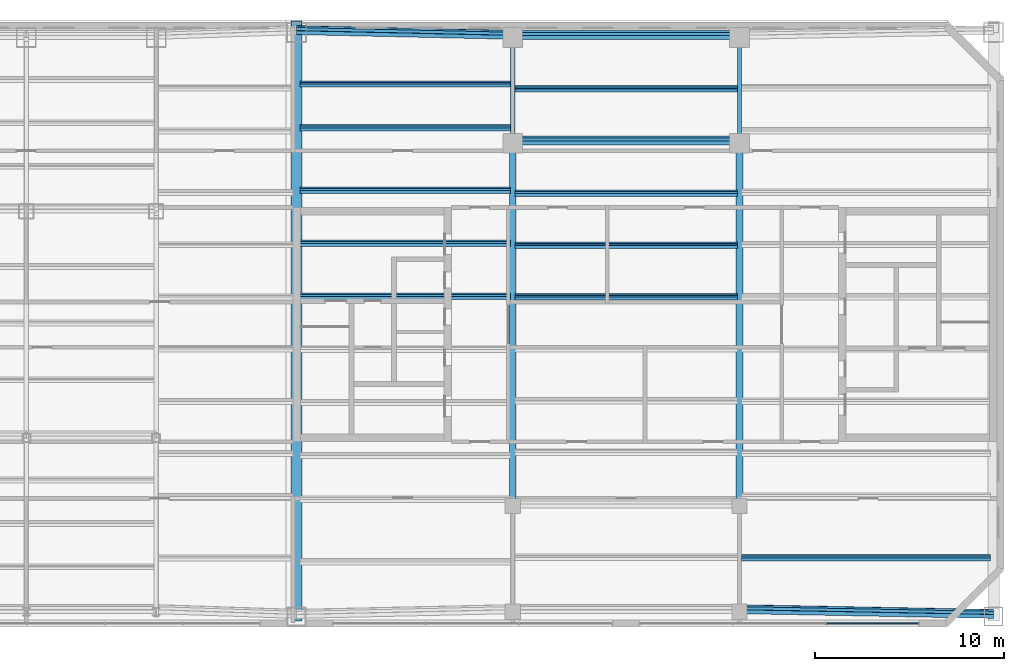
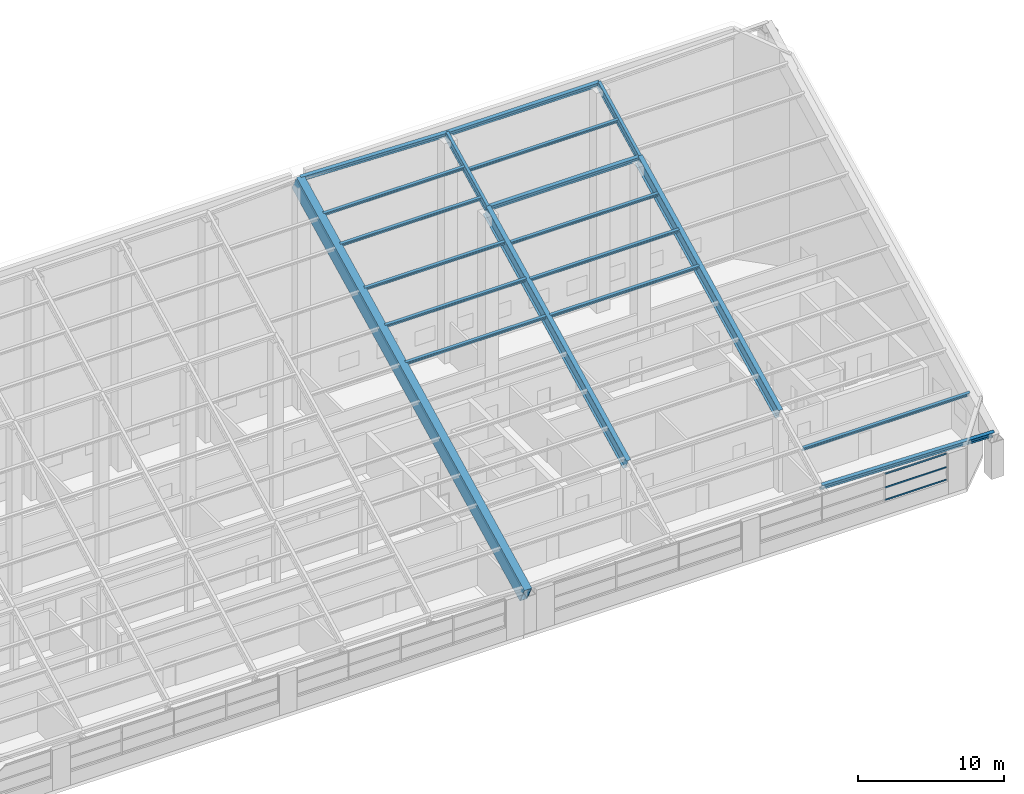
# One storey, part 15 of 28: 22 members, 1 element without a shape of its own.
"""IFC4 building model written with IfcOpenShell, lengths in metres."""

import ifcopenshell
import ifcopenshell.guid

model = None  # the IFC model being written
_history = None  # IfcOwnerHistory: only IFC2X3 demands one
_inside = {}  # id of a spatial element -> (the spatial element, [elements in it])
_under = {}  # id of a project, library or spatial element -> (it, [spatial elements below it])
_declared = {}  # id of a project -> (the project, [libraries it declares])
_typed = {}  # id of a type object -> (the type object, [elements of that type])
_made_of = {}  # id of a material, layer set ... -> (it, [elements and type objects made of it])


def new_model(schema):
    """Start an empty IFC model of exactly this schema.

    Asked for "IFC4X3", IfcOpenShell would pick the latest addendum, in which some entities
    have other attributes; the version numbers below select the first issue.
    IFC2X3 requires an IfcOwnerHistory on every rooted entity: one is made here for all.
    """
    global model, _history
    if schema == "IFC4X3":
        model = ifcopenshell.file(schema_version=(4, 3, 0, 0))
    else:
        model = ifcopenshell.file(schema=schema)
    _inside.clear()
    _under.clear()
    _declared.clear()
    _typed.clear()
    _made_of.clear()
    _history = None
    if model.schema == "IFC2X3":
        org = make("IfcOrganization", Name="unknown")
        user = make(
            "IfcPersonAndOrganization",
            ThePerson=make("IfcPerson", FamilyName="unknown"),
            TheOrganization=org,
        )
        app = make(
            "IfcApplication",
            ApplicationDeveloper=org,
            Version="unknown",
            ApplicationFullName="unknown",
            ApplicationIdentifier="unknown",
        )
        _history = make(
            "IfcOwnerHistory",
            OwningUser=user,
            OwningApplication=app,
            ChangeAction="ADDED",
            CreationDate=0,
        )
    return model


def make(cls, **values):
    """One entity of the class cls with the attributes given. An attribute that is None is left unset."""
    return model.create_entity(
        cls, **{name: value for name, value in values.items() if value is not None}
    )


def rooted(cls, **values):
    """An entity with a GlobalId (a new one), such as an element, a storey or a relation."""
    return make(cls, GlobalId=ifcopenshell.guid.new(), OwnerHistory=_history, **values)


def si_unit(unit_type, name, prefix=None):
    """IfcSIUnit, for example si_unit("LENGTHUNIT", "METRE", prefix="MILLI")."""
    return make("IfcSIUnit", UnitType=unit_type, Prefix=prefix, Name=name)


def assignment(units):
    """IfcUnitAssignment: the units of a project."""
    return None if units is None else make("IfcUnitAssignment", Units=units)


def point(xyz):
    """IfcCartesianPoint."""
    return None if xyz is None else make("IfcCartesianPoint", Coordinates=xyz)


def direction(xyz):
    """IfcDirection."""
    return None if xyz is None else make("IfcDirection", DirectionRatios=xyz)


def frame(location, z_axis=None, x_axis=None):
    """IfcAxis2Placement3D, a coordinate frame: its origin and axes. An axis left out is left unset."""
    return make(
        "IfcAxis2Placement3D",
        Location=point(location),
        Axis=direction(z_axis),
        RefDirection=direction(x_axis),
    )


def frame_2d(location, x_axis=None):
    """IfcAxis2Placement2D, a coordinate frame in the plane: its origin and x axis."""
    return make(
        "IfcAxis2Placement2D", Location=point(location), RefDirection=direction(x_axis)
    )


def origin():
    """The frame at (0, 0, 0) with its axes left unset."""
    return frame((0.0, 0.0, 0.0))


def origin_2d():
    """The frame at (0, 0) in the plane with its x axis left unset."""
    return frame_2d((0.0, 0.0))


def place(relative_to, where):
    """IfcLocalPlacement: puts the frame where relative to a parent placement (None: the world)."""
    return make(
        "IfcLocalPlacement", PlacementRelTo=relative_to, RelativePlacement=where
    )


def context(
    kind, dimensions, precision=None, world=None, true_north=None, identifier=None
):
    """IfcGeometricRepresentationContext, for example the 3D "Model" context."""
    return make(
        "IfcGeometricRepresentationContext",
        ContextIdentifier=identifier,
        ContextType=kind,
        CoordinateSpaceDimension=dimensions,
        Precision=precision,
        WorldCoordinateSystem=world,
        TrueNorth=true_north,
    )


def subcontext(parent, identifier, kind, view, scale=None):
    """IfcGeometricRepresentationSubContext, for example "Body" below "Model"."""
    return make(
        "IfcGeometricRepresentationSubContext",
        ContextIdentifier=identifier,
        ContextType=kind,
        ParentContext=parent,
        TargetScale=scale,
        TargetView=view,
    )


def project(units=None, contexts=None):
    """IfcProject with its units and contexts."""
    return rooted(
        "IfcProject",
        Name="project",
        RepresentationContexts=contexts,
        UnitsInContext=assignment(units),
    )


def spatial(cls, under=None, at=None, **own):
    """A site, building, storey or space (cls), placed at a placement, below another one or the project."""
    s = rooted(cls, ObjectPlacement=at, **own)
    if under is not None:
        _under.setdefault(under.id(), (under, []))[1].append(s)
    return s


def profile(cls, at=None, kind="AREA", **sizes):
    """A parametric profile (cls). Its sizes go by their IFC names, for example OverallWidth=200.0."""
    return make(cls, ProfileType=kind, Position=at, **sizes)


def rectangle(**sizes):
    """IfcRectangleProfileDef."""
    return profile("IfcRectangleProfileDef", **sizes)


def hollow_rectangle(**sizes):
    """IfcRectangleHollowProfileDef."""
    return profile("IfcRectangleHollowProfileDef", **sizes)


def i_section(**sizes):
    """IfcIShapeProfileDef."""
    return profile("IfcIShapeProfileDef", **sizes)


def extrude(swept, where, along, depth):
    """IfcExtrudedAreaSolid: the profile swept, set in the frame where, extruded along a direction by depth."""
    return make(
        "IfcExtrudedAreaSolid",
        SweptArea=swept,
        Position=where,
        ExtrudedDirection=direction(along),
        Depth=depth,
    )


def shape(context_of_items, identifier, shape_type, items):
    """IfcShapeRepresentation: the items that make up one representation, for example the "Body"."""
    return make(
        "IfcShapeRepresentation",
        ContextOfItems=context_of_items,
        RepresentationIdentifier=identifier,
        RepresentationType=shape_type,
        Items=items,
    )


def material(Name=None, Category=None):
    """IfcMaterial."""
    return make("IfcMaterial", Name=Name, Category=Category)


def material_profile(
    of_material, cross_section, Name=None, Category=None, Priority=None
):
    """IfcMaterialProfile: a cross section and its material."""
    return make(
        "IfcMaterialProfile",
        Name=Name,
        Material=of_material,
        Profile=cross_section,
        Priority=Priority,
        Category=Category,
    )


def profile_set(profiles, Name=None, composite=None):
    """IfcMaterialProfileSet."""
    return make(
        "IfcMaterialProfileSet",
        Name=Name,
        MaterialProfiles=profiles,
        CompositeProfile=composite,
    )


def made_of(thing, what):
    """Note that an element or type object is made of a material, layer set ...; save() writes the relation."""
    if what is not None:
        _made_of.setdefault(what.id(), (what, []))[1].append(thing)
    return thing


def type_object(cls, material=None, **own):
    """A type object (cls), such as IfcWallType, which elements share."""
    return made_of(rooted(cls, **own), material)


def element(
    cls,
    number,
    at=None,
    inside=None,
    cuts=None,
    type_object=None,
    material=None,
    context=None,
    identifier="Body",
    shape_type=None,
    held_by="IfcProductDefinitionShape",
    body=None,
    shapes=None,
    **own,
):
    """One element of the class cls, such as IfcWall. Its Tag is "e" and its number.

    at: its placement. inside: the storey or other place that contains it. cuts: it is an
    opening in that element (IfcRelVoidsElement). A single representation is given by context,
    identifier, shape_type and body (its items); several are given by shapes. held_by: the class
    of the entity that holds the representations. save() writes the other relations.
    """
    e = rooted(cls, Tag="e%d" % number, ObjectPlacement=at, **own)
    if body is not None:
        shapes = [shape(context, identifier, shape_type, body)]
    if shapes is not None:
        e.Representation = make(held_by, Representations=shapes)
    if inside is not None:
        _inside.setdefault(inside.id(), (inside, []))[1].append(e)
    if cuts is not None:
        rooted(
            "IfcRelVoidsElement", RelatingBuildingElement=cuts, RelatedOpeningElement=e
        )
    if type_object is not None:
        _typed.setdefault(type_object.id(), (type_object, []))[1].append(e)
    return made_of(e, material)


def aggregate(whole, parts):
    """IfcRelAggregates: a whole, such as a stair, and the parts it consists of."""
    return rooted("IfcRelAggregates", RelatingObject=whole, RelatedObjects=parts)


def save(model, path):
    """Write the relations noted so far, then the file.

    IfcRelAggregates (storeys below a building ...), IfcRelContainedInSpatialStructure (elements
    in a storey), IfcRelDefinesByType, IfcRelAssociatesMaterial and IfcRelDeclares: one each for
    every whole, place, type object, material and project.
    """
    for whole, parts in _under.values():
        aggregate(whole, parts)
    for where, things in _inside.values():
        rooted(
            "IfcRelContainedInSpatialStructure",
            RelatedElements=things,
            RelatingStructure=where,
        )
    for kind, things in _typed.values():
        rooted("IfcRelDefinesByType", RelatedObjects=things, RelatingType=kind)
    for what, things in _made_of.values():
        rooted("IfcRelAssociatesMaterial", RelatedObjects=things, RelatingMaterial=what)
    for by, libraries in _declared.values():
        rooted("IfcRelDeclares", RelatingContext=by, RelatedDefinitions=libraries)
    model.write(path)


model = new_model("IFC4")

# Units and contexts
model_context = context("Model", 3, precision=1e-05, world=origin(), true_north=direction((0.0, 1.0)))
body_context = subcontext(model_context, "Body", "Model", "MODEL_VIEW")
ifc_project = project(units=[si_unit("LENGTHUNIT", "METRE"), si_unit("AREAUNIT", "SQUARE_METRE"), si_unit("VOLUMEUNIT", "CUBIC_METRE"), si_unit("PLANEANGLEUNIT", "RADIAN"), si_unit("MASSUNIT", "GRAM", prefix="KILO")], contexts=[model_context])

# Site, building, storey
site_placement = place(None, origin())
site = spatial("IfcSite", under=ifc_project, at=site_placement, CompositionType="ELEMENT")
building_placement = place(site_placement, origin())
building = spatial("IfcBuilding", under=site, at=building_placement, Name="Tuart Gate Housing", CompositionType="ELEMENT")
storey_placement = place(building_placement, frame((0.0, 0.0, 243.89990234375)))
storey = spatial("IfcBuildingStorey", under=building, at=storey_placement, Name="L68", CompositionType="ELEMENT", Elevation=243.89990234375)

# Members
ifc_material_1 = material(Name="Steel Grade 350", Category="steel")
ifc_material_profile_1 = material_profile(ifc_material_1, i_section(OverallWidth=0.22900390625, OverallDepth=0.612060546875, WebThickness=0.011962890625, FlangeThickness=0.01953125, at=origin_2d()), Name="610UB125")
ifc_profile_set_1 = profile_set([ifc_material_profile_1], Name="Steel Grade 350")
member_type_1 = type_object("IfcMemberType", Name="Crown purlin 610 UB125 (11.5-13.5 m)", PredefinedType="PURLIN", material=ifc_profile_set_1)
member_1_placement = place(storey_placement, frame((155.0, 54.936767578125, 3.426513671875), z_axis=(0.999784137114, -0.018583415738, -0.009291707869), x_axis=(0.020776890343, 0.894195116491, 0.447195051931)))
element("IfcMember", 1, at=member_1_placement, inside=storey, type_object=member_type_1, Name="Crown purlin 15", PredefinedType="PURLIN", context=body_context, shape_type="SweptSolid", body=[
    extrude(i_section(OverallWidth=0.22900390625, OverallDepth=0.612060546875, WebThickness=0.011962890625, FlangeThickness=0.01953125, at=origin_2d()), origin(), (0.0, 0.0, 1.0), 13.452880859375),
])
member_2_placement = place(storey_placement, frame((143.0, 79.73681640625, 15.826416015625), z_axis=(1.0, 0.0, 0.0), x_axis=(0.0, 0.89442680992, 0.44721435766)))
element("IfcMember", 2, at=member_2_placement, inside=storey, type_object=member_type_1, Name="Crown purlin 33", PredefinedType="PURLIN", context=body_context, shape_type="SweptSolid", body=[
    extrude(i_section(OverallWidth=0.22900390625, OverallDepth=0.612060546875, WebThickness=0.011962890625, FlangeThickness=0.01953125, at=origin_2d()), origin(), (0.0, 0.0, 1.0), 12.0),
])
member_3_placement = place(storey_placement, frame((131.550048828125, 85.5869140625, 18.75146484375), z_axis=(0.999702176669, -0.021827651526, -0.010913825763), x_axis=(0.024404056125, 0.894107142767, 0.447187722659)))
element("IfcMember", 3, at=member_3_placement, inside=storey, type_object=member_type_1, Name="Crown purlin 48", PredefinedType="PURLIN", context=body_context, shape_type="SweptSolid", body=[
    extrude(i_section(OverallWidth=0.22900390625, OverallDepth=0.612060546875, WebThickness=0.011962890625, FlangeThickness=0.01953125, at=origin_2d()), origin(), (0.0, 0.0, 1.0), 11.453369140625),
])
member_4_placement = place(storey_placement, frame((143.0, 85.3369140625, 18.62646484375), z_axis=(1.0, 0.0, 0.0), x_axis=(0.0, 0.89442680992, 0.44721435766)))
element("IfcMember", 4, at=member_4_placement, inside=storey, type_object=member_type_1, Name="Crown purlin 44", PredefinedType="PURLIN", context=body_context, shape_type="SweptSolid", body=[
    extrude(i_section(OverallWidth=0.22900390625, OverallDepth=0.612060546875, WebThickness=0.011962890625, FlangeThickness=0.01953125, at=origin_2d()), origin(), (0.0, 0.0, 1.0), 12.0),
])
ifc_material_2 = material(Name="Steel Grade 350", Category="steel")
ifc_material_profile_2 = material_profile(ifc_material_2, i_section(OverallWidth=0.35009765625, OverallDepth=1.010009765625, WebThickness=0.01611328125, FlangeThickness=0.02490234375, at=origin_2d()), Name="1000WB258")
ifc_profile_set_2 = profile_set([ifc_material_profile_2], Name="Steel Grade 350")
member_type_2 = type_object("IfcMemberType", Name="Crown rafter 1000 WB258", PredefinedType="RAFTER", material=ifc_profile_set_2)
for number, where, z_axis, x_axis, name in (
    (5, (143.0, 60.625732421875, 6.04833984375), (0.0, 0.894424916342, 0.447218144786), (-1.0, 0.0, 0.0), "Crown rafter 35"),
    (6, (155.0, 60.625732421875, 6.04833984375), (0.0, 0.894424916342, 0.447218144786), (-1.0, 0.0, 0.0), "Crown rafter 38"),
):
    element("IfcMember", number, at=place(storey_placement, frame(where, z_axis=z_axis, x_axis=x_axis)), inside=storey, type_object=member_type_2, Name=name, PredefinedType="RAFTER", context=body_context, shape_type="SweptSolid", body=[
        extrude(i_section(OverallWidth=0.35009765625, OverallDepth=1.010009765625, WebThickness=0.01611328125, FlangeThickness=0.02490234375, at=origin_2d()), origin(), (0.0, 0.0, 1.0), 21.46630859375),
    ])
ifc_material_3 = material(Name="Steel Grade 350", Category="steel")
ifc_material_profile_3 = material_profile(ifc_material_3, i_section(OverallWidth=0.22900390625, OverallDepth=0.612060546875, WebThickness=0.011962890625, FlangeThickness=0.01953125, at=origin_2d()), Name="610UB125")
ifc_profile_set_3 = profile_set([ifc_material_profile_3], Name="Steel Grade 350")
member_type_3 = type_object("IfcMemberType", Name="Crown rafter 610 UB125", PredefinedType="RAFTER", material=ifc_profile_set_3)
for number, where, z_axis, x_axis, name in (
    (7, (143.0, 79.73681640625, 15.826416015625), (0.0, 0.894427191, 0.4472135955), (-1.0, 0.0, 0.0), "Crown rafter 36"),
    (8, (155.0, 79.73681640625, 15.826416015625), (0.0, 0.894427191, 0.4472135955), (-1.0, 0.0, 0.0), "Crown rafter 39"),
):
    element("IfcMember", number, at=place(storey_placement, frame(where, z_axis=z_axis, x_axis=x_axis)), inside=storey, type_object=member_type_3, Name=name, PredefinedType="RAFTER", context=body_context, shape_type="SweptSolid", body=[
        extrude(i_section(OverallWidth=0.22900390625, OverallDepth=0.612060546875, WebThickness=0.011962890625, FlangeThickness=0.01953125, at=origin_2d()), origin(), (0.0, 0.0, 1.0), 6.260986328125),
    ])
ifc_material_4 = material(Name="Steel Grade 350", Category="steel")
ifc_material_profile_4 = material_profile(ifc_material_4, hollow_rectangle(XDim=0.60009765625, YDim=1.39990234375, WallThickness=0.0419921875, at=origin_2d()), Name="BOX 1400x600x42")
ifc_profile_set_4 = profile_set([ifc_material_profile_4], Name="Steel Grade 350")
member_type_4 = type_object("IfcMemberType", Name="Crown rafter BOX 1400x600x42", PredefinedType="RAFTER", material=ifc_profile_set_4)
member_5_placement = place(storey_placement, frame((131.550048828125, 54.613037109375, 2.823974609375), z_axis=(0.0, 0.894427191, 0.4472135955), x_axis=(-1.0, 0.0, 0.0)))
element("IfcMember", 9, at=member_5_placement, inside=storey, type_object=member_type_4, Name="Crown rafter 33", PredefinedType="RAFTER", context=body_context, shape_type="SweptSolid", body=[
    extrude(hollow_rectangle(XDim=0.60009765625, YDim=1.39990234375, WallThickness=0.0419921875, at=origin_2d()), origin(), (0.0, 0.0, 1.0), 34.82666015625),
])
ifc_material_5 = material(Name="Steel Grade 350", Category="steel")
ifc_material_profile_5 = material_profile(ifc_material_5, i_section(OverallWidth=0.177978515625, OverallDepth=0.403076171875, WebThickness=0.007568359375, FlangeThickness=0.010986328125, at=origin_2d()), Name="410UB53.7")
ifc_profile_set_5 = profile_set([ifc_material_profile_5], Name="Steel Grade 350")
member_type_5 = type_object("IfcMemberType", Name="Crown secondary purlin 410 UB53.7", PredefinedType="PURLIN", material=ifc_profile_set_5)
member_6_placement = place(storey_placement, frame((155.114501953125, 57.65380859375, 4.901611328125), z_axis=(1.0, 0.0, 0.0), x_axis=(0.0, 0.89442680992, 0.44721435766)))
element("IfcMember", 10, at=member_6_placement, inside=storey, type_object=member_type_5, Name="Crown secondary purlin 15", PredefinedType="PURLIN", context=body_context, shape_type="SweptSolid", body=[
    extrude(i_section(OverallWidth=0.177978515625, OverallDepth=0.403076171875, WebThickness=0.007568359375, FlangeThickness=0.010986328125, at=origin_2d()), origin(), (0.0, 0.0, 1.0), 13.160400390625),
])
member_7_placement = place(storey_placement, frame((143.114501953125, 71.46142578125, 11.8056640625), z_axis=(1.0, 0.0, 0.0), x_axis=(0.0, 0.89442680992, 0.44721435766)))
element("IfcMember", 11, at=member_7_placement, inside=storey, type_object=member_type_5, Name="Crown secondary purlin 80", PredefinedType="PURLIN", context=body_context, shape_type="SweptSolid", body=[
    extrude(i_section(OverallWidth=0.177978515625, OverallDepth=0.403076171875, WebThickness=0.007568359375, FlangeThickness=0.010986328125, at=origin_2d()), origin(), (0.0, 0.0, 1.0), 11.77099609375),
])
member_8_placement = place(storey_placement, frame((131.72509765625, 71.49462890625, 11.822021484375), z_axis=(1.0, 0.0, 0.0), x_axis=(0.0, 0.89442680992, 0.44721435766)))
element("IfcMember", 12, at=member_8_placement, inside=storey, type_object=member_type_5, Name="Crown secondary purlin 79", PredefinedType="PURLIN", context=body_context, shape_type="SweptSolid", body=[
    extrude(i_section(OverallWidth=0.177978515625, OverallDepth=0.403076171875, WebThickness=0.007568359375, FlangeThickness=0.010986328125, at=origin_2d()), origin(), (0.0, 0.0, 1.0), 11.160400390625),
])
member_9_placement = place(storey_placement, frame((143.114501953125, 74.204345703125, 13.177001953125), z_axis=(1.0, 0.0, 0.0), x_axis=(0.0, 0.89442680992, 0.44721435766)))
element("IfcMember", 13, at=member_9_placement, inside=storey, type_object=member_type_5, Name="Crown secondary purlin 92", PredefinedType="PURLIN", context=body_context, shape_type="SweptSolid", body=[
    extrude(i_section(OverallWidth=0.177978515625, OverallDepth=0.403076171875, WebThickness=0.007568359375, FlangeThickness=0.010986328125, at=origin_2d()), origin(), (0.0, 0.0, 1.0), 11.77099609375),
])
member_10_placement = place(storey_placement, frame((131.72509765625, 74.3037109375, 13.226806640625), z_axis=(1.0, 0.0, 0.0), x_axis=(0.0, 0.89442680992, 0.44721435766)))
element("IfcMember", 14, at=member_10_placement, inside=storey, type_object=member_type_5, Name="Crown secondary purlin 96", PredefinedType="PURLIN", context=body_context, shape_type="SweptSolid", body=[
    extrude(i_section(OverallWidth=0.177978515625, OverallDepth=0.403076171875, WebThickness=0.007568359375, FlangeThickness=0.010986328125, at=origin_2d()), origin(), (0.0, 0.0, 1.0), 11.160400390625),
])
member_11_placement = place(storey_placement, frame((143.114501953125, 76.947265625, 14.54833984375), z_axis=(1.0, 0.0, 0.0), x_axis=(0.0, 0.89442680992, 0.44721435766)))
element("IfcMember", 15, at=member_11_placement, inside=storey, type_object=member_type_5, Name="Crown secondary purlin 101", PredefinedType="PURLIN", context=body_context, shape_type="SweptSolid", body=[
    extrude(i_section(OverallWidth=0.177978515625, OverallDepth=0.403076171875, WebThickness=0.007568359375, FlangeThickness=0.010986328125, at=origin_2d()), origin(), (0.0, 0.0, 1.0), 11.77099609375),
])
for number, where, z_axis, x_axis, name in (
    (16, (131.72509765625, 77.11279296875, 14.631103515625), (1.0, 0.0, 0.0), (0.0, 0.89442680992, 0.44721435766), "Crown secondary purlin 105"),
    (17, (131.72509765625, 80.421875, 16.285888671875), (1.0, 0.0, 0.0), (0.0, 0.89442680992, 0.44721435766), "Crown secondary purlin 117"),
):
    element("IfcMember", number, at=place(storey_placement, frame(where, z_axis=z_axis, x_axis=x_axis)), inside=storey, type_object=member_type_5, Name=name, PredefinedType="PURLIN", context=body_context, shape_type="SweptSolid", body=[
        extrude(i_section(OverallWidth=0.177978515625, OverallDepth=0.403076171875, WebThickness=0.007568359375, FlangeThickness=0.010986328125, at=origin_2d()), origin(), (0.0, 0.0, 1.0), 11.160400390625),
    ])
member_12_placement = place(storey_placement, frame((143.114501953125, 82.489990234375, 17.31982421875), z_axis=(1.0, 0.0, 0.0), x_axis=(0.0, 0.89442680992, 0.44721435766)))
element("IfcMember", 18, at=member_12_placement, inside=storey, type_object=member_type_5, Name="Crown secondary purlin 128", PredefinedType="PURLIN", context=body_context, shape_type="SweptSolid", body=[
    extrude(i_section(OverallWidth=0.177978515625, OverallDepth=0.403076171875, WebThickness=0.007568359375, FlangeThickness=0.010986328125, at=origin_2d()), origin(), (0.0, 0.0, 1.0), 11.77099609375),
])
member_13_placement = place(storey_placement, frame((131.72509765625, 82.73095703125, 17.440185546875), z_axis=(1.0, 0.0, 0.0), x_axis=(0.0, 0.89442680992, 0.44721435766)))
element("IfcMember", 19, at=member_13_placement, inside=storey, type_object=member_type_5, Name="Crown secondary purlin 132", PredefinedType="PURLIN", context=body_context, shape_type="SweptSolid", body=[
    extrude(i_section(OverallWidth=0.177978515625, OverallDepth=0.403076171875, WebThickness=0.007568359375, FlangeThickness=0.010986328125, at=origin_2d()), origin(), (0.0, 0.0, 1.0), 11.160400390625),
])

# Curtain wall, members
ifc_material_6 = material(Name="Aluminium and clear glass", Category="aluminium")
curtain_wall_type = type_object("IfcCurtainWallType", Name="Crown clerestory glazing", PredefinedType="USERDEFINED", material=ifc_material_6)
curtain_wall_placement = place(storey_placement, origin())
curtain_wall = element("IfcCurtainWall", 20, at=curtain_wall_placement, inside=storey, type_object=curtain_wall_type, Name="Crown clerestory glazing BLK-S L68", ObjectType="CROWN CLERESTORY GLAZING", PredefinedType="USERDEFINED")
ifc_material_7 = material(Name="Anodised aluminium", Category="aluminium")
ifc_material_profile_6 = material_profile(ifc_material_7, rectangle(XDim=0.06005859375, YDim=0.1201171875, at=origin_2d()), Name="60x120")
ifc_profile_set_6 = profile_set([ifc_material_profile_6], Name="Anodised aluminium")
member_type_6 = type_object("IfcMemberType", Name="Transom 60 x 120", PredefinedType="USERDEFINED", material=ifc_profile_set_6)
member_14_placement = place(storey_placement, frame((159.609619140625, 54.179931640625, 1.16015625), z_axis=(1.0, 0.0, 0.0), x_axis=(0.0, 1.0, 0.0)))
member_14 = element("IfcMember", 21, at=member_14_placement, type_object=member_type_6, Name="CW6 transom 3.1", ObjectType="TRANSOM", PredefinedType="USERDEFINED", context=body_context, shape_type="SweptSolid", body=[
    extrude(rectangle(XDim=0.06005859375, YDim=0.1201171875, at=origin_2d()), origin(), (0.0, 0.0, 1.0), 4.85595703125),
])
member_15_placement = place(storey_placement, frame((159.609619140625, 54.179931640625, 2.2001953125), z_axis=(1.0, 0.0, 0.0), x_axis=(0.0, 1.0, 0.0)))
member_15 = element("IfcMember", 22, at=member_15_placement, type_object=member_type_6, Name="CW6 transom 3.2", ObjectType="TRANSOM", PredefinedType="USERDEFINED", context=body_context, shape_type="SweptSolid", body=[
    extrude(rectangle(XDim=0.06005859375, YDim=0.1201171875, at=origin_2d()), origin(), (0.0, 0.0, 1.0), 4.85595703125),
])
member_16_placement = place(storey_placement, frame((159.609619140625, 54.179931640625, 3.330078125), z_axis=(1.0, 0.0, 0.0), x_axis=(0.0, 1.0, 0.0)))
member_16 = element("IfcMember", 23, at=member_16_placement, type_object=member_type_6, Name="CW6 transom 3.3", ObjectType="TRANSOM", PredefinedType="USERDEFINED", context=body_context, shape_type="SweptSolid", body=[
    extrude(rectangle(XDim=0.06005859375, YDim=0.1201171875, at=origin_2d()), origin(), (0.0, 0.0, 1.0), 4.85595703125),
])
aggregate(curtain_wall, [member_14, member_15, member_16])

save(model, "model.ifc")
